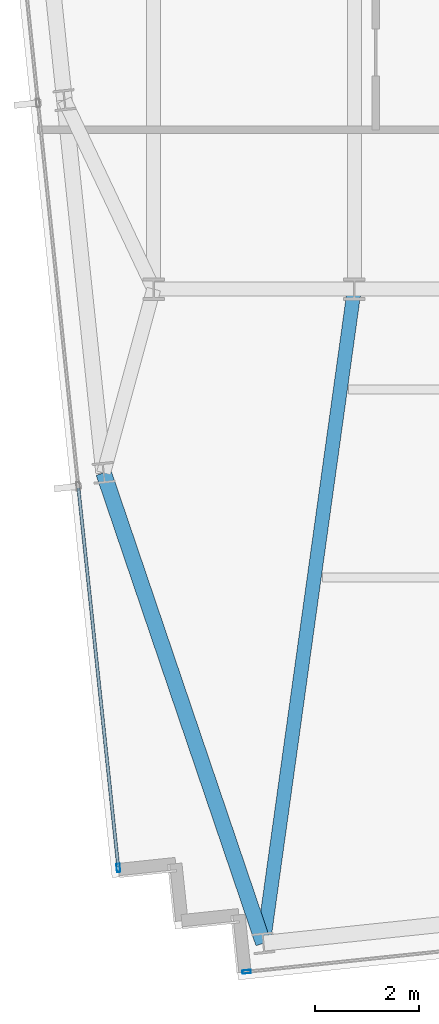
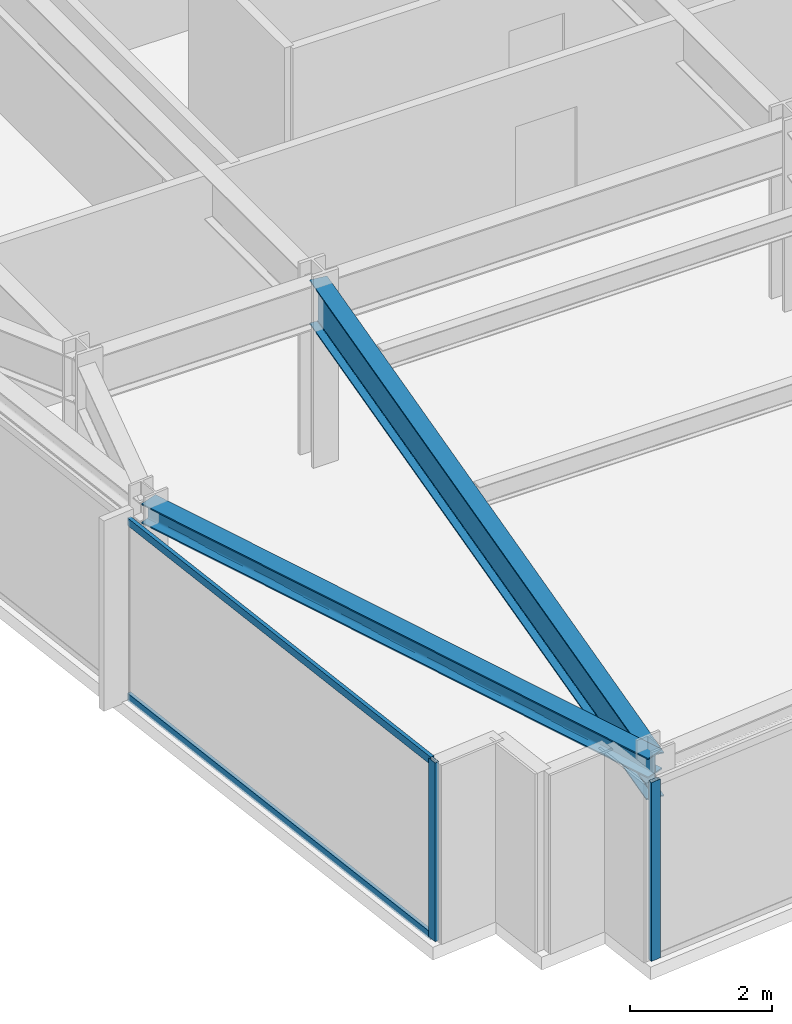
# One storey, part 2 of 32: 4 members, 2 beams, 2 elements without a shape of their own.
"""IFC4 building model written with IfcOpenShell, lengths in metres."""

from ifc_helpers import new_model, si_unit, direction, frame, origin, origin_2d, place, context, subcontext, project, spatial, hollow_rectangle, i_section, extrude, material, material_profile, profile_set, type_object, element, aggregate, save


model = new_model("IFC4")

# Units and contexts
model_context = context("Model", 3, precision=1e-05, world=origin(), true_north=direction((0.0, 1.0)))
body_context = subcontext(model_context, "Body", "Model", "MODEL_VIEW")
ifc_project = project(units=[si_unit("LENGTHUNIT", "METRE"), si_unit("AREAUNIT", "SQUARE_METRE"), si_unit("VOLUMEUNIT", "CUBIC_METRE"), si_unit("PLANEANGLEUNIT", "RADIAN"), si_unit("MASSUNIT", "GRAM", prefix="KILO")], contexts=[model_context])

# Site, building, storey
site_placement = place(None, origin())
site = spatial("IfcSite", under=ifc_project, at=site_placement, CompositionType="ELEMENT")
building_placement = place(site_placement, origin())
building = spatial("IfcBuilding", under=site, at=building_placement, Name="Yelkora Congress Tower", CompositionType="ELEMENT")
storey_placement = place(building_placement, frame((0.0, 0.0, 207.800048828125)))
storey = spatial("IfcBuildingStorey", under=building, at=storey_placement, Name="L57", CompositionType="ELEMENT", Elevation=207.800048828125)

# Beams
ifc_material_1 = material(Name="Steel S355J2", Category="steel")
ifc_material_profile_1 = material_profile(ifc_material_1, i_section(OverallWidth=0.26708984375, OverallDepth=0.761962890625, WebThickness=0.014404296875, FlangeThickness=0.021484375, FilletRadius=0.01708984375, at=origin_2d()), Name="IPE 750x173")
ifc_profile_set_1 = profile_set([ifc_material_profile_1], Name="Steel S355J2")
beam_type_1 = type_object("IfcBeamType", Name="BM-GIRD-IPE750", PredefinedType="BEAM", material=ifc_profile_set_1)
beam_1_placement = place(storey_placement, frame((21.299072265625, 12.678466796875, 2.698974609375), z_axis=(0.137713626184, 0.990472088028, 0.0), x_axis=(-0.990472088028, 0.137713626184, 0.0)))
element("IfcBeam", 1, at=beam_1_placement, inside=storey, type_object=beam_type_1, Name="L57 Primary Frame Girder S01", PredefinedType="BEAM", context=body_context, shape_type="SweptSolid", body=[
    extrude(i_section(OverallWidth=0.26708984375, OverallDepth=0.761962890625, WebThickness=0.014404296875, FlangeThickness=0.021484375, FilletRadius=0.01708984375, at=origin_2d()), origin(), (0.0, 0.0, 1.0), 12.641845703125),
])
ifc_material_profile_2 = material_profile(ifc_material_1, i_section(OverallWidth=0.300048828125, OverallDepth=0.340087890625, WebThickness=0.011962890625, FlangeThickness=0.021484375, FilletRadius=0.027099609375, at=origin_2d()), Name="HEB 340")
ifc_profile_set_2 = profile_set([ifc_material_profile_2], Name="Steel S355J2")
beam_type_2 = type_object("IfcBeamType", Name="BM-SPAN-HEB340", PredefinedType="SPANDREL", material=ifc_profile_set_2)
beam_2_placement = place(storey_placement, frame((18.2412109375, 21.68310546875, 2.909912109375), z_axis=(0.321552459514, -0.94689176561, 0.0), x_axis=(0.94689176561, 0.321552459514, 0.0)))
element("IfcBeam", 2, at=beam_2_placement, inside=storey, type_object=beam_type_2, Name="L57 Perimeter Beam 2", PredefinedType="SPANDREL", context=body_context, shape_type="SweptSolid", body=[
    extrude(i_section(OverallWidth=0.300048828125, OverallDepth=0.340087890625, WebThickness=0.011962890625, FlangeThickness=0.021484375, FilletRadius=0.027099609375, at=origin_2d()), origin(), (0.0, 0.0, 1.0), 9.509765625),
])

# Curtain wall, member
ifc_material_2 = material(Name="Anodised aluminium and insulated glass", Category="aluminium")
curtain_wall_type = type_object("IfcCurtainWallType", Name="CW-SYS-B4", PredefinedType="NOTDEFINED", material=ifc_material_2)
curtain_wall_1_placement = place(storey_placement, origin())
curtain_wall_1 = element("IfcCurtainWall", 3, at=curtain_wall_1_placement, inside=storey, type_object=curtain_wall_type, Name="L57 Unitised Curtain Wall 5", PredefinedType="NOTDEFINED")
ifc_material_3 = material(Name="Anodised aluminium 6063-T6", Category="aluminium")
ifc_material_profile_3 = material_profile(ifc_material_3, hollow_rectangle(XDim=0.06494140625, YDim=0.159912109375, WallThickness=0.00390625, at=origin_2d()), Name="ALU 65x160x4")
ifc_profile_set_3 = profile_set([ifc_material_profile_3], Name="Anodised aluminium 6063-T6")
member_type_1 = type_object("IfcMemberType", Name="MEM-ML-B4", PredefinedType="MULLION", material=ifc_profile_set_3)
member_1_placement = place(storey_placement, frame((18.523193359375, 14.118896484375, 0.0), z_axis=(0.0, 0.0, 1.0), x_axis=(-0.994522145958, -0.104526079034, 0.0)))
member_1 = element("IfcMember", 4, at=member_1_placement, type_object=member_type_1, Name="CW-B4 mullion 1", PredefinedType="MULLION", context=body_context, shape_type="SweptSolid", body=[
    extrude(hollow_rectangle(XDim=0.06494140625, YDim=0.159912109375, WallThickness=0.00390625, at=origin_2d()), origin(), (0.0, 0.0, 1.0), 3.079833984375),
])

curtain_wall_2_placement = place(storey_placement, origin())
curtain_wall_2 = element("IfcCurtainWall", 5, at=curtain_wall_2_placement, inside=storey, type_object=curtain_wall_type, Name="L57 Unitised Curtain Wall 20", PredefinedType="NOTDEFINED")
member_2_placement = place(storey_placement, frame((20.976806640625, 12.1318359375, 0.0), z_axis=(0.0, 0.0, 1.0), x_axis=(0.104526664994, -0.994522084373, 0.0)))
member_2 = element("IfcMember", 6, at=member_2_placement, type_object=member_type_1, Name="CW-B4 mullion 8", PredefinedType="MULLION", context=body_context, shape_type="SweptSolid", body=[
    extrude(hollow_rectangle(XDim=0.06494140625, YDim=0.159912109375, WallThickness=0.00390625, at=origin_2d()), origin(), (0.0, 0.0, 1.0), 3.079833984375),
])
aggregate(curtain_wall_2, [member_2])

# Member
ifc_material_profile_4 = material_profile(ifc_material_3, hollow_rectangle(XDim=0.06005859375, YDim=0.1298828125, WallThickness=0.00390625, at=origin_2d()), Name="ALU 60x130x4")
ifc_profile_set_4 = profile_set([ifc_material_profile_4], Name="Anodised aluminium 6063-T6")
member_type_2 = type_object("IfcMemberType", Name="MEM-TR-B4", PredefinedType="USERDEFINED", material=ifc_profile_set_4)
member_3_placement = place(storey_placement, frame((18.52001953125, 14.151123046875, 0.030029296875), z_axis=(-0.104527725728, 0.994521972886, 0.0), x_axis=(-0.994521972886, -0.104527725728, 0.0)))
member_3 = element("IfcMember", 7, at=member_3_placement, type_object=member_type_2, Name="CW-B4 transom 1.1", ObjectType="TRANSOM", PredefinedType="USERDEFINED", context=body_context, shape_type="SweptSolid", body=[
    extrude(hollow_rectangle(XDim=0.06005859375, YDim=0.1298828125, WallThickness=0.00390625, at=origin_2d()), origin(), (0.0, 0.0, 1.0), 7.282470703125),
])

member_4_placement = place(storey_placement, frame((18.52001953125, 14.151123046875, 3.050048828125), z_axis=(-0.104527725728, 0.994521972886, 0.0), x_axis=(-0.994521972886, -0.104527725728, 0.0)))
member_4 = element("IfcMember", 8, at=member_4_placement, type_object=member_type_2, Name="CW-B4 transom 1.2", ObjectType="TRANSOM", PredefinedType="USERDEFINED", context=body_context, shape_type="SweptSolid", body=[
    extrude(hollow_rectangle(XDim=0.06005859375, YDim=0.1298828125, WallThickness=0.00390625, at=origin_2d()), origin(), (0.0, 0.0, 1.0), 7.282470703125),
])

aggregate(curtain_wall_1, [member_1, member_3, member_4])

save(model, "model.ifc")
